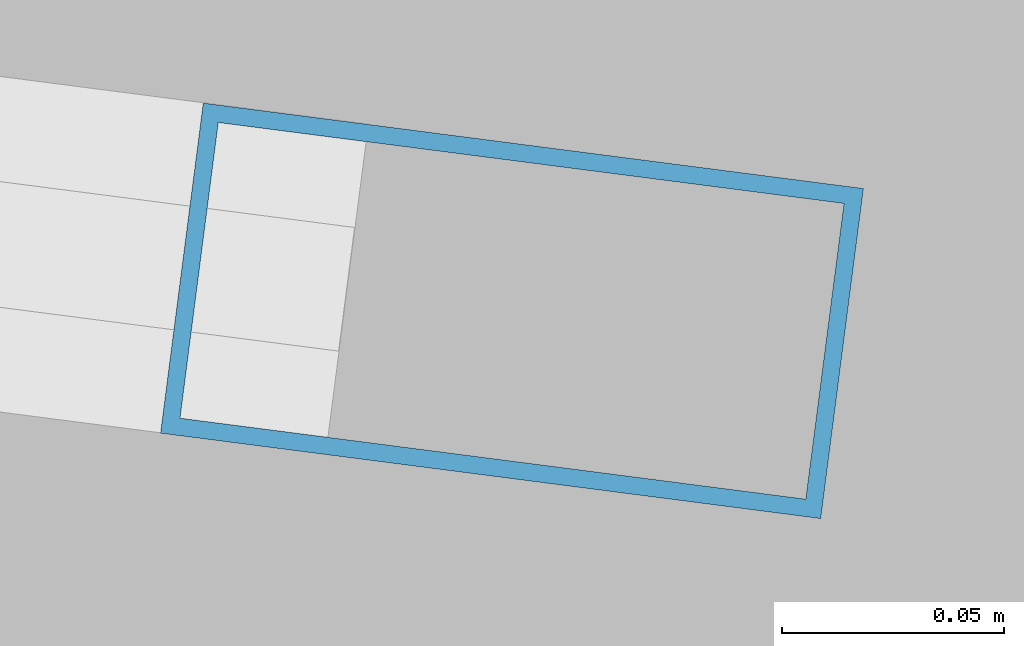
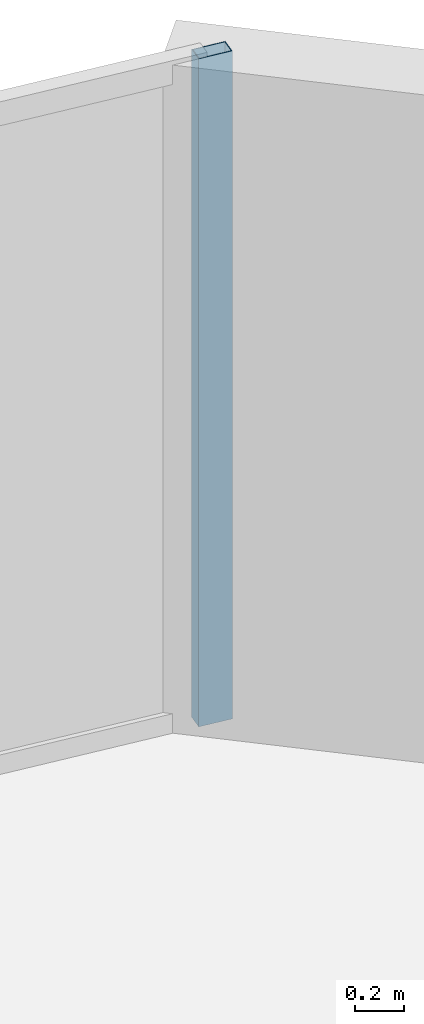
# One storey, part 21 of 33: 1 member, 1 element without a shape of its own.
"""IFC4 building model written with IfcOpenShell, lengths in metres."""

import ifcopenshell
import ifcopenshell.guid

model = None  # the IFC model being written
_history = None  # IfcOwnerHistory: only IFC2X3 demands one
_inside = {}  # id of a spatial element -> (the spatial element, [elements in it])
_under = {}  # id of a project, library or spatial element -> (it, [spatial elements below it])
_declared = {}  # id of a project -> (the project, [libraries it declares])
_typed = {}  # id of a type object -> (the type object, [elements of that type])
_made_of = {}  # id of a material, layer set ... -> (it, [elements and type objects made of it])


def new_model(schema):
    """Start an empty IFC model of exactly this schema.

    Asked for "IFC4X3", IfcOpenShell would pick the latest addendum, in which some entities
    have other attributes; the version numbers below select the first issue.
    IFC2X3 requires an IfcOwnerHistory on every rooted entity: one is made here for all.
    """
    global model, _history
    if schema == "IFC4X3":
        model = ifcopenshell.file(schema_version=(4, 3, 0, 0))
    else:
        model = ifcopenshell.file(schema=schema)
    _inside.clear()
    _under.clear()
    _declared.clear()
    _typed.clear()
    _made_of.clear()
    _history = None
    if model.schema == "IFC2X3":
        org = make("IfcOrganization", Name="unknown")
        user = make(
            "IfcPersonAndOrganization",
            ThePerson=make("IfcPerson", FamilyName="unknown"),
            TheOrganization=org,
        )
        app = make(
            "IfcApplication",
            ApplicationDeveloper=org,
            Version="unknown",
            ApplicationFullName="unknown",
            ApplicationIdentifier="unknown",
        )
        _history = make(
            "IfcOwnerHistory",
            OwningUser=user,
            OwningApplication=app,
            ChangeAction="ADDED",
            CreationDate=0,
        )
    return model


def make(cls, **values):
    """One entity of the class cls with the attributes given. An attribute that is None is left unset."""
    return model.create_entity(
        cls, **{name: value for name, value in values.items() if value is not None}
    )


def rooted(cls, **values):
    """An entity with a GlobalId (a new one), such as an element, a storey or a relation."""
    return make(cls, GlobalId=ifcopenshell.guid.new(), OwnerHistory=_history, **values)


def si_unit(unit_type, name, prefix=None):
    """IfcSIUnit, for example si_unit("LENGTHUNIT", "METRE", prefix="MILLI")."""
    return make("IfcSIUnit", UnitType=unit_type, Prefix=prefix, Name=name)


def assignment(units):
    """IfcUnitAssignment: the units of a project."""
    return None if units is None else make("IfcUnitAssignment", Units=units)


def point(xyz):
    """IfcCartesianPoint."""
    return None if xyz is None else make("IfcCartesianPoint", Coordinates=xyz)


def direction(xyz):
    """IfcDirection."""
    return None if xyz is None else make("IfcDirection", DirectionRatios=xyz)


def frame(location, z_axis=None, x_axis=None):
    """IfcAxis2Placement3D, a coordinate frame: its origin and axes. An axis left out is left unset."""
    return make(
        "IfcAxis2Placement3D",
        Location=point(location),
        Axis=direction(z_axis),
        RefDirection=direction(x_axis),
    )


def frame_2d(location, x_axis=None):
    """IfcAxis2Placement2D, a coordinate frame in the plane: its origin and x axis."""
    return make(
        "IfcAxis2Placement2D", Location=point(location), RefDirection=direction(x_axis)
    )


def origin():
    """The frame at (0, 0, 0) with its axes left unset."""
    return frame((0.0, 0.0, 0.0))


def origin_2d():
    """The frame at (0, 0) in the plane with its x axis left unset."""
    return frame_2d((0.0, 0.0))


def place(relative_to, where):
    """IfcLocalPlacement: puts the frame where relative to a parent placement (None: the world)."""
    return make(
        "IfcLocalPlacement", PlacementRelTo=relative_to, RelativePlacement=where
    )


def context(
    kind, dimensions, precision=None, world=None, true_north=None, identifier=None
):
    """IfcGeometricRepresentationContext, for example the 3D "Model" context."""
    return make(
        "IfcGeometricRepresentationContext",
        ContextIdentifier=identifier,
        ContextType=kind,
        CoordinateSpaceDimension=dimensions,
        Precision=precision,
        WorldCoordinateSystem=world,
        TrueNorth=true_north,
    )


def subcontext(parent, identifier, kind, view, scale=None):
    """IfcGeometricRepresentationSubContext, for example "Body" below "Model"."""
    return make(
        "IfcGeometricRepresentationSubContext",
        ContextIdentifier=identifier,
        ContextType=kind,
        ParentContext=parent,
        TargetScale=scale,
        TargetView=view,
    )


def project(units=None, contexts=None):
    """IfcProject with its units and contexts."""
    return rooted(
        "IfcProject",
        Name="project",
        RepresentationContexts=contexts,
        UnitsInContext=assignment(units),
    )


def spatial(cls, under=None, at=None, **own):
    """A site, building, storey or space (cls), placed at a placement, below another one or the project."""
    s = rooted(cls, ObjectPlacement=at, **own)
    if under is not None:
        _under.setdefault(under.id(), (under, []))[1].append(s)
    return s


def profile(cls, at=None, kind="AREA", **sizes):
    """A parametric profile (cls). Its sizes go by their IFC names, for example OverallWidth=200.0."""
    return make(cls, ProfileType=kind, Position=at, **sizes)


def hollow_rectangle(**sizes):
    """IfcRectangleHollowProfileDef."""
    return profile("IfcRectangleHollowProfileDef", **sizes)


def extrude(swept, where, along, depth):
    """IfcExtrudedAreaSolid: the profile swept, set in the frame where, extruded along a direction by depth."""
    return make(
        "IfcExtrudedAreaSolid",
        SweptArea=swept,
        Position=where,
        ExtrudedDirection=direction(along),
        Depth=depth,
    )


def shape(context_of_items, identifier, shape_type, items):
    """IfcShapeRepresentation: the items that make up one representation, for example the "Body"."""
    return make(
        "IfcShapeRepresentation",
        ContextOfItems=context_of_items,
        RepresentationIdentifier=identifier,
        RepresentationType=shape_type,
        Items=items,
    )


def material(Name=None, Category=None):
    """IfcMaterial."""
    return make("IfcMaterial", Name=Name, Category=Category)


def layer(
    of_material, thickness, ventilated=None, Name=None, Category=None, Priority=None
):
    """IfcMaterialLayer: one layer of a wall or slab, of a material (None: an air gap)."""
    return make(
        "IfcMaterialLayer",
        Material=of_material,
        LayerThickness=thickness,
        IsVentilated=ventilated,
        Name=Name,
        Category=Category,
        Priority=Priority,
    )


def layer_set(layers, Name=None):
    """IfcMaterialLayerSet."""
    return make("IfcMaterialLayerSet", MaterialLayers=layers, LayerSetName=Name)


def material_profile(
    of_material, cross_section, Name=None, Category=None, Priority=None
):
    """IfcMaterialProfile: a cross section and its material."""
    return make(
        "IfcMaterialProfile",
        Name=Name,
        Material=of_material,
        Profile=cross_section,
        Priority=Priority,
        Category=Category,
    )


def profile_set(profiles, Name=None, composite=None):
    """IfcMaterialProfileSet."""
    return make(
        "IfcMaterialProfileSet",
        Name=Name,
        MaterialProfiles=profiles,
        CompositeProfile=composite,
    )


def made_of(thing, what):
    """Note that an element or type object is made of a material, layer set ...; save() writes the relation."""
    if what is not None:
        _made_of.setdefault(what.id(), (what, []))[1].append(thing)
    return thing


def type_object(cls, material=None, **own):
    """A type object (cls), such as IfcWallType, which elements share."""
    return made_of(rooted(cls, **own), material)


def element(
    cls,
    number,
    at=None,
    inside=None,
    cuts=None,
    type_object=None,
    material=None,
    context=None,
    identifier="Body",
    shape_type=None,
    held_by="IfcProductDefinitionShape",
    body=None,
    shapes=None,
    **own,
):
    """One element of the class cls, such as IfcWall. Its Tag is "e" and its number.

    at: its placement. inside: the storey or other place that contains it. cuts: it is an
    opening in that element (IfcRelVoidsElement). A single representation is given by context,
    identifier, shape_type and body (its items); several are given by shapes. held_by: the class
    of the entity that holds the representations. save() writes the other relations.
    """
    e = rooted(cls, Tag="e%d" % number, ObjectPlacement=at, **own)
    if body is not None:
        shapes = [shape(context, identifier, shape_type, body)]
    if shapes is not None:
        e.Representation = make(held_by, Representations=shapes)
    if inside is not None:
        _inside.setdefault(inside.id(), (inside, []))[1].append(e)
    if cuts is not None:
        rooted(
            "IfcRelVoidsElement", RelatingBuildingElement=cuts, RelatedOpeningElement=e
        )
    if type_object is not None:
        _typed.setdefault(type_object.id(), (type_object, []))[1].append(e)
    return made_of(e, material)


def aggregate(whole, parts):
    """IfcRelAggregates: a whole, such as a stair, and the parts it consists of."""
    return rooted("IfcRelAggregates", RelatingObject=whole, RelatedObjects=parts)


def save(model, path):
    """Write the relations noted so far, then the file.

    IfcRelAggregates (storeys below a building ...), IfcRelContainedInSpatialStructure (elements
    in a storey), IfcRelDefinesByType, IfcRelAssociatesMaterial and IfcRelDeclares: one each for
    every whole, place, type object, material and project.
    """
    for whole, parts in _under.values():
        aggregate(whole, parts)
    for where, things in _inside.values():
        rooted(
            "IfcRelContainedInSpatialStructure",
            RelatedElements=things,
            RelatingStructure=where,
        )
    for kind, things in _typed.values():
        rooted("IfcRelDefinesByType", RelatedObjects=things, RelatingType=kind)
    for what, things in _made_of.values():
        rooted("IfcRelAssociatesMaterial", RelatedObjects=things, RelatingMaterial=what)
    for by, libraries in _declared.values():
        rooted("IfcRelDeclares", RelatingContext=by, RelatedDefinitions=libraries)
    model.write(path)


model = new_model("IFC4")

# Units and contexts
model_context = context("Model", 3, precision=1e-05, world=origin(), true_north=direction((0.0, 1.0)))
body_context = subcontext(model_context, "Body", "Model", "MODEL_VIEW")
ifc_project = project(units=[si_unit("LENGTHUNIT", "METRE"), si_unit("AREAUNIT", "SQUARE_METRE"), si_unit("VOLUMEUNIT", "CUBIC_METRE"), si_unit("PLANEANGLEUNIT", "RADIAN"), si_unit("MASSUNIT", "GRAM", prefix="KILO")], contexts=[model_context])

# Site, building, storey
site_placement = place(None, origin())
site = spatial("IfcSite", under=ifc_project, at=site_placement, CompositionType="ELEMENT")
building_placement = place(site_placement, origin())
building = spatial("IfcBuilding", under=site, at=building_placement, Name="Kazevale Care Tower and Concert Hall", CompositionType="ELEMENT")
storey_placement = place(building_placement, frame((0.0, 0.0, 149.39990234375)))
storey = spatial("IfcBuildingStorey", under=building, at=storey_placement, Name="L39", CompositionType="ELEMENT", Elevation=149.39990234375)

# Curtain wall, member
ifc_material_1 = material(Name="Aluminium 6063-T6 and Low-E Glass", Category="aluminium")
ifc_layer = layer(ifc_material_1, 0.179931640625)
ifc_layer_set = layer_set([ifc_layer], Name="Aluminium 6063-T6 and Low-E Glass")
curtain_wall_type = type_object("IfcCurtainWallType", Name="Convex Recessed Sunroom Curtain Wall CW-3", PredefinedType="NOTDEFINED", material=ifc_layer_set)
curtain_wall_placement = place(storey_placement, origin())
curtain_wall = element("IfcCurtainWall", 1, at=curtain_wall_placement, inside=storey, type_object=curtain_wall_type, Name="cw:L39:f16", PredefinedType="NOTDEFINED")
ifc_material_2 = material(Name="Aluminium 6063-T6", Category="aluminium")
ifc_material_profile = material_profile(ifc_material_2, hollow_rectangle(XDim=0.074951171875, YDim=0.14990234375, WallThickness=0.00390625, at=origin_2d()), Name="ALU75x150x4")
ifc_profile_set = profile_set([ifc_material_profile], Name="Aluminium 6063-T6")
member_type = type_object("IfcMemberType", Name="CW-3 Mullion ALU75x150x4", PredefinedType="MULLION", material=ifc_profile_set)
member_placement = place(storey_placement, frame((64.2587890625, 62.335693359375, 0.0), z_axis=(0.0, 0.0, 1.0), x_axis=(0.128299815569, 0.99173542708, 0.0)))
member = element("IfcMember", 2, at=member_placement, type_object=member_type, Name="CW-3 mullion 2", PredefinedType="MULLION", context=body_context, shape_type="SweptSolid", body=[
    extrude(hollow_rectangle(XDim=0.074951171875, YDim=0.14990234375, WallThickness=0.00390625, at=origin_2d()), origin(), (0.0, 0.0, 1.0), 3.360107421875),
])
aggregate(curtain_wall, [member])

save(model, "model.ifc")
